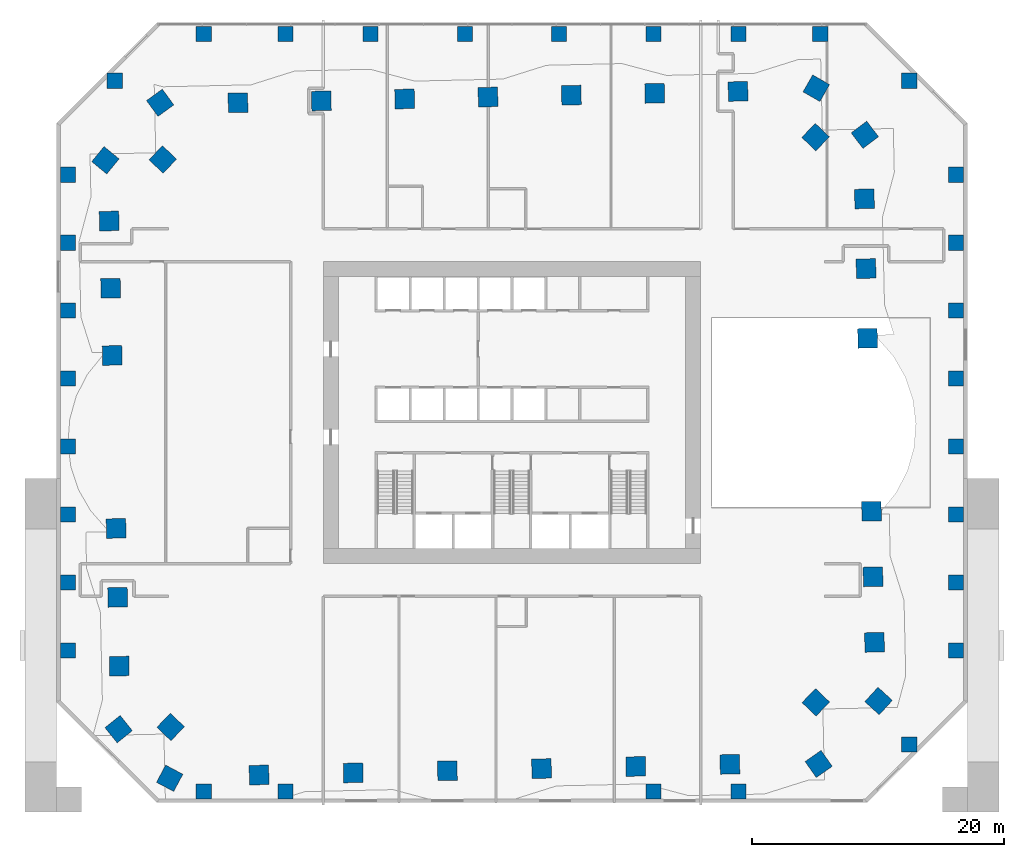
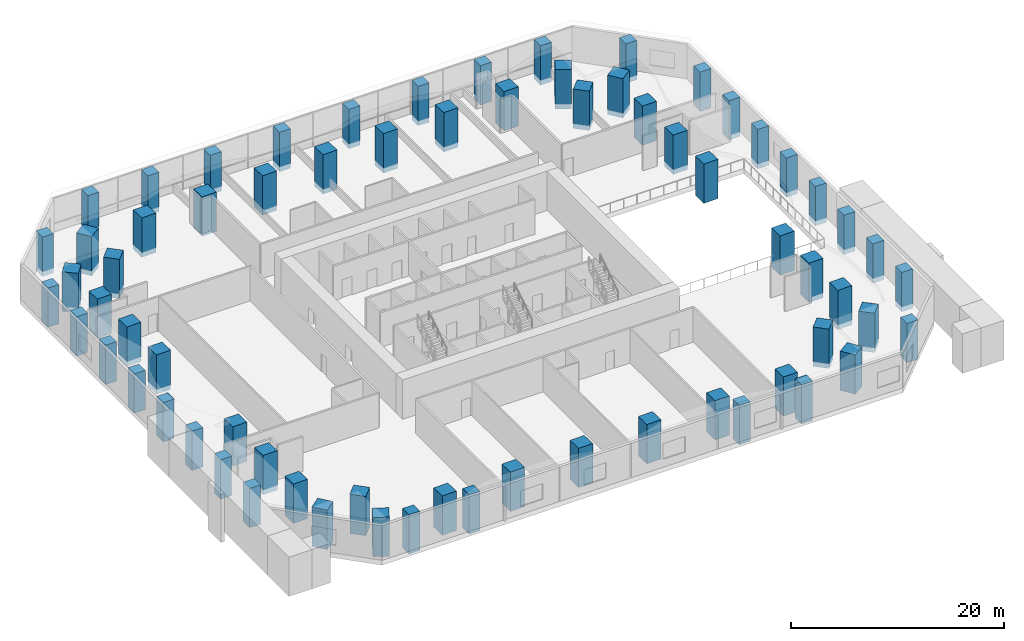
# One storey, part 1 of 12: 68 columns.
"""IFC4 building model written with IfcOpenShell, lengths in metres."""

from ifc_helpers import new_model, si_unit, direction, frame, origin, origin_2d, place, context, subcontext, project, spatial, rectangle, extrude, material, material_profile, profile_set, type_object, element, save


model = new_model("IFC4")

# Units and contexts
model_context = context("Model", 3, precision=1e-05, world=origin(), true_north=direction((0.0, 1.0)))
body_context = subcontext(model_context, "Body", "Model", "MODEL_VIEW")
ifc_project = project(units=[si_unit("LENGTHUNIT", "METRE"), si_unit("AREAUNIT", "SQUARE_METRE"), si_unit("VOLUMEUNIT", "CUBIC_METRE"), si_unit("PLANEANGLEUNIT", "RADIAN"), si_unit("MASSUNIT", "GRAM", prefix="KILO")], contexts=[model_context])

# Site, building, storey
site_placement = place(None, origin())
site = spatial("IfcSite", under=ifc_project, at=site_placement, CompositionType="ELEMENT")
building_placement = place(site_placement, origin())
building = spatial("IfcBuilding", under=site, at=building_placement, Name="Mangrove Gate Tower", CompositionType="ELEMENT")
storey_placement = place(building_placement, frame((0.0, 0.0, 25.0)))
storey = spatial("IfcBuildingStorey", under=building, at=storey_placement, Name="L05", CompositionType="ELEMENT", Elevation=25.0)

# Columns
ifc_material_1 = material(Name="Concrete C50/60", Category="concrete")
ifc_material_profile_1 = material_profile(ifc_material_1, rectangle(XDim=1.199951171875, YDim=1.199951171875, at=origin_2d()))
ifc_profile_set_1 = profile_set([ifc_material_profile_1], Name="Concrete C50/60")
column_type_1 = type_object("IfcColumnType", Name="Column RC 1200x1200 C50/60", PredefinedType="COLUMN", material=ifc_profile_set_1)
for number, where, z_axis, x_axis, name in (
    (1, (-24.5, -30.10009765625, -0.550048828125), (0.0, 0.0, 1.0), (1.0, 0.0, 0.0), "Column L05 PS00"),
    (2, (-24.5, 30.10009765625, -0.550048828125), (0.0, 0.0, 1.0), (1.0, 0.0, 0.0), "Column L05 PN01"),
    (3, (-18.0, -30.10009765625, -0.550048828125), (0.0, 0.0, 1.0), (1.0, 0.0, 0.0), "Column L05 PS02"),
    (4, (-18.0, 30.10009765625, -0.550048828125), (0.0, 0.0, 1.0), (1.0, 0.0, 0.0), "Column L05 PN03"),
    (5, (-11.25, 30.10009765625, -0.550048828125), (0.0, 0.0, 1.0), (1.0, 0.0, 0.0), "Column L05 PN05"),
    (6, (-3.75, 30.10009765625, -0.550048828125), (0.0, 0.0, 1.0), (1.0, 0.0, 0.0), "Column L05 PN07"),
    (7, (3.75, 30.10009765625, -0.550048828125), (0.0, 0.0, 1.0), (1.0, 0.0, 0.0), "Column L05 PN09"),
    (8, (11.25, -30.10009765625, -0.550048828125), (0.0, 0.0, 1.0), (1.0, 0.0, 0.0), "Column L05 PS10"),
    (9, (11.25, 30.10009765625, -0.550048828125), (0.0, 0.0, 1.0), (1.0, 0.0, 0.0), "Column L05 PN11"),
    (10, (18.0, -30.10009765625, -0.550048828125), (0.0, 0.0, 1.0), (1.0, 0.0, 0.0), "Column L05 PS12"),
    (11, (18.0, 30.10009765625, -0.550048828125), (0.0, 0.0, 1.0), (1.0, 0.0, 0.0), "Column L05 PN13"),
    (12, (24.5, 30.10009765625, -0.550048828125), (0.0, 0.0, 1.0), (1.0, 0.0, 0.0), "Column L05 PN15"),
    (13, (35.300048828125, -18.89990234375, -0.550048828125), (0.0, 0.0, 1.0), (1.0, 0.0, 0.0), "Column L05 PE16"),
    (14, (-35.300048828125, -18.89990234375, -0.550048828125), (0.0, 0.0, 1.0), (1.0, 0.0, 0.0), "Column L05 PW17"),
    (15, (35.300048828125, -13.5, -0.550048828125), (0.0, 0.0, 1.0), (1.0, 0.0, 0.0), "Column L05 PE18"),
    (16, (-35.300048828125, -13.5, -0.550048828125), (0.0, 0.0, 1.0), (1.0, 0.0, 0.0), "Column L05 PW19"),
    (17, (35.300048828125, -8.10009765625, -0.550048828125), (0.0, 0.0, 1.0), (1.0, 0.0, 0.0), "Column L05 PE20"),
    (18, (-35.300048828125, -8.10009765625, -0.550048828125), (0.0, 0.0, 1.0), (1.0, 0.0, 0.0), "Column L05 PW21"),
    (19, (35.300048828125, -2.699951171875, -0.550048828125), (0.0, 0.0, 1.0), (1.0, 0.0, 0.0), "Column L05 PE22"),
    (20, (-35.300048828125, -2.699951171875, -0.550048828125), (0.0, 0.0, 1.0), (1.0, 0.0, 0.0), "Column L05 PW23"),
    (21, (35.300048828125, 2.699951171875, -0.550048828125), (0.0, 0.0, 1.0), (1.0, 0.0, 0.0), "Column L05 PE24"),
    (22, (-35.300048828125, 2.699951171875, -0.550048828125), (0.0, 0.0, 1.0), (1.0, 0.0, 0.0), "Column L05 PW25"),
    (23, (35.300048828125, 8.10009765625, -0.550048828125), (0.0, 0.0, 1.0), (1.0, 0.0, 0.0), "Column L05 PE26"),
    (24, (-35.300048828125, 8.10009765625, -0.550048828125), (0.0, 0.0, 1.0), (1.0, 0.0, 0.0), "Column L05 PW27"),
    (25, (35.300048828125, 13.5, -0.550048828125), (0.0, 0.0, 1.0), (1.0, 0.0, 0.0), "Column L05 PE28"),
    (26, (-35.300048828125, 13.5, -0.550048828125), (0.0, 0.0, 1.0), (1.0, 0.0, 0.0), "Column L05 PW29"),
    (27, (35.300048828125, 18.89990234375, -0.550048828125), (0.0, 0.0, 1.0), (1.0, 0.0, 0.0), "Column L05 PE30"),
    (28, (-35.300048828125, 18.89990234375, -0.550048828125), (0.0, 0.0, 1.0), (1.0, 0.0, 0.0), "Column L05 PW31"),
    (29, (31.570068359375, 26.3701171875, -0.550048828125), (0.0, 0.0, 1.0), (1.0, 0.0, 0.0), "Column L05 PD32"),
    (30, (31.570068359375, -26.3701171875, -0.550048828125), (0.0, 0.0, 1.0), (1.0, 0.0, 0.0), "Column L05 PD33"),
    (31, (-31.570068359375, 26.3701171875, -0.550048828125), (0.0, 0.0, 1.0), (1.0, 0.0, 0.0), "Column L05 PD34"),
):
    element("IfcColumn", number, at=place(storey_placement, frame(where, z_axis=z_axis, x_axis=x_axis)), inside=storey, type_object=column_type_1, Name=name, PredefinedType="COLUMN", context=body_context, shape_type="SweptSolid", body=[
        extrude(rectangle(XDim=1.199951171875, YDim=1.199951171875, at=origin_2d()), origin(), (0.0, 0.0, 1.0), 4.5),
    ])
ifc_material_2 = material(Name="Concrete C70/85", Category="concrete")
ifc_material_profile_2 = material_profile(ifc_material_2, rectangle(XDim=1.550048828125, YDim=1.550048828125, at=origin_2d()))
ifc_profile_set_2 = profile_set([ifc_material_profile_2], Name="Concrete C70/85")
column_type_2 = type_object("IfcColumnType", Name="Column RC 1550x1550 C70/85", PredefinedType="COLUMN", material=ifc_profile_set_2)
for number, where, z_axis, x_axis, name in (
    (32, (-31.461181640625, -9.204345703125, -0.550048828125), (0.0, 0.0, 1.0), (0.022677684385, -0.999742828247, 0.0), "Column L05 W06"),
    (33, (-31.337158203125, -14.678466796875, -0.550048828125), (0.0, 0.0, 1.0), (0.022648789156, -0.999743483274, 0.0), "Column L05 W07"),
    (34, (-31.213134765625, -20.1513671875, -0.550048828125), (0.0, 0.0, 1.0), (0.022740081264, -0.999741410918, 0.0), "Column L05 W08"),
    (35, (-31.259033203125, -25.157470703125, -0.550048828125), (0.0, 0.0, 1.0), (0.626513761853, -0.779410358033, 0.0), "Column L05 W09"),
    (36, (-27.129638671875, -24.986572265625, -0.550048828125), (0.0, 0.0, 1.0), (0.723003777622, -0.690844076144, 0.0), "Column L05 W10"),
    (37, (-27.205078125, -29.061767578125, -0.550048828125), (0.0, 0.0, 1.0), (0.88296485665, -0.469439092877, 0.0), "Column L05 S01"),
    (38, (-20.1025390625, -28.80224609375, -0.550048828125), (0.0, 0.0, 1.0), (0.999743591179, 0.022644025629, 0.0), "Column L05 S02"),
    (39, (-12.61962890625, -28.632080078125, -0.550048828125), (0.0, 0.0, 1.0), (0.999742076866, 0.022710784754, 0.0), "Column L05 S03"),
    (40, (-5.135498046875, -28.462158203125, -0.550048828125), (0.0, 0.0, 1.0), (0.999742111349, 0.022709266709, 0.0), "Column L05 S04"),
    (41, (2.348388671875, -28.292236328125, -0.550048828125), (0.0, 0.0, 1.0), (0.999742111349, 0.022709266709, 0.0), "Column L05 S05"),
    (42, (9.83251953125, -28.122314453125, -0.550048828125), (0.0, 0.0, 1.0), (0.999742076866, 0.022710784754, 0.0), "Column L05 S06"),
    (43, (17.3154296875, -27.9521484375, -0.550048828125), (0.0, 0.0, 1.0), (0.999743591179, 0.022644025629, 0.0), "Column L05 S07"),
    (44, (24.3720703125, -27.92333984375, -0.550048828125), (0.0, 0.0, 1.0), (0.818798537757, 0.574080965166, 0.0), "Column L05 S08"),
    (45, (24.143798828125, -23.023681640625, -0.550048828125), (0.0, 0.0, 1.0), (0.690875836988, 0.722973428188, 0.0), "Column L05 E01"),
    (46, (29.1318359375, -22.921142578125, -0.550048828125), (0.0, 0.0, 1.0), (0.675975496551, 0.736924099255, 0.0), "Column L05 E02"),
    (47, (28.80908203125, -18.256591796875, -0.550048828125), (0.0, 0.0, 1.0), (-0.022754110081, 0.99974109172, 0.0), "Column L05 E03"),
    (48, (28.691162109375, -13.049560546875, -0.550048828125), (0.0, 0.0, 1.0), (-0.022655978068, 0.999743320387, 0.0), "Column L05 E04"),
    (49, (28.5732421875, -7.842529296875, -0.550048828125), (0.0, 0.0, 1.0), (-0.022680668131, 0.999742760561, 0.0), "Column L05 E05"),
    (50, (28.26123046875, 5.904296875, -0.550048828125), (0.0, 0.0, 1.0), (-0.022703735442, 0.999742236978, 0.0), "Column L05 E06"),
    (51, (28.13525390625, 11.4443359375, -0.550048828125), (0.0, 0.0, 1.0), (-0.022645578574, 0.999743556004, 0.0), "Column L05 E07"),
    (52, (28.01025390625, 16.9853515625, -0.550048828125), (0.0, 0.0, 1.0), (-0.022645578574, 0.999743556004, 0.0), "Column L05 E08"),
    (53, (28.041015625, 22.0751953125, -0.550048828125), (0.0, 0.0, 1.0), (-0.60357593887, 0.797305516109, 0.0), "Column L05 E09"),
    (54, (24.12451171875, 21.8916015625, -0.550048828125), (0.0, 0.0, 1.0), (-0.723010312757, 0.690837236726, 0.0), "Column L05 E10"),
    (55, (24.18359375, 25.778564453125, -0.550048828125), (0.0, 0.0, 1.0), (-0.867550504106, 0.497349095531, 0.0), "Column L05 N01"),
    (56, (17.963623046875, 25.526123046875, -0.550048828125), (0.0, 0.0, 1.0), (-0.999741913532, -0.022717973655, 0.0), "Column L05 N02"),
    (57, (11.340576171875, 25.375244140625, -0.550048828125), (0.0, 0.0, 1.0), (-0.999741952388, -0.022716263674, 0.0), "Column L05 N03"),
    (58, (4.716552734375, 25.22509765625, -0.550048828125), (0.0, 0.0, 1.0), (-0.999743663498, -0.022640832496, 0.0), "Column L05 N04"),
    (59, (-1.906494140625, 25.0751953125, -0.550048828125), (0.0, 0.0, 1.0), (-0.999741913532, -0.022717973655, 0.0), "Column L05 N05"),
    (60, (-8.529296875, 24.92431640625, -0.550048828125), (0.0, 0.0, 1.0), (-0.999741952388, -0.022716263674, 0.0), "Column L05 N06"),
    (61, (-15.153564453125, 24.774169921875, -0.550048828125), (0.0, 0.0, 1.0), (-0.999743663498, -0.022640832496, 0.0), "Column L05 N07"),
    (62, (-21.7763671875, 24.624267578125, -0.550048828125), (0.0, 0.0, 1.0), (-0.999743624771, -0.02264254248, 0.0), "Column L05 N08"),
    (63, (-27.960693359375, 24.62255859375, -0.550048828125), (0.0, 0.0, 1.0), (-0.808269368168, -0.588812897686, 0.0), "Column L05 N09"),
    (64, (-27.752685546875, 20.114501953125, -0.550048828125), (0.0, 0.0, 1.0), (-0.690863130287, -0.722985570541, 0.0), "Column L05 W01"),
    (65, (-32.3134765625, 20.052734375, -0.550048828125), (0.0, 0.0, 1.0), (-0.63510539695, -0.772425488164, 0.0), "Column L05 W02"),
    (66, (-32.01513671875, 15.22265625, -0.550048828125), (0.0, 0.0, 1.0), (0.022746921185, -0.999741255314, 0.0), "Column L05 W03"),
    (67, (-31.894287109375, 9.882568359375, -0.550048828125), (0.0, 0.0, 1.0), (0.022653360746, -0.999743379696, 0.0), "Column L05 W04"),
    (68, (-31.773193359375, 4.54248046875, -0.550048828125), (0.0, 0.0, 1.0), (0.022679760793, -0.999742781144, 0.0), "Column L05 W05"),
):
    element("IfcColumn", number, at=place(storey_placement, frame(where, z_axis=z_axis, x_axis=x_axis)), inside=storey, type_object=column_type_2, Name=name, PredefinedType="COLUMN", context=body_context, shape_type="SweptSolid", body=[
        extrude(rectangle(XDim=1.550048828125, YDim=1.550048828125, at=origin_2d()), origin(), (0.0, 0.0, 1.0), 4.5),
    ])

save(model, "model.ifc")
